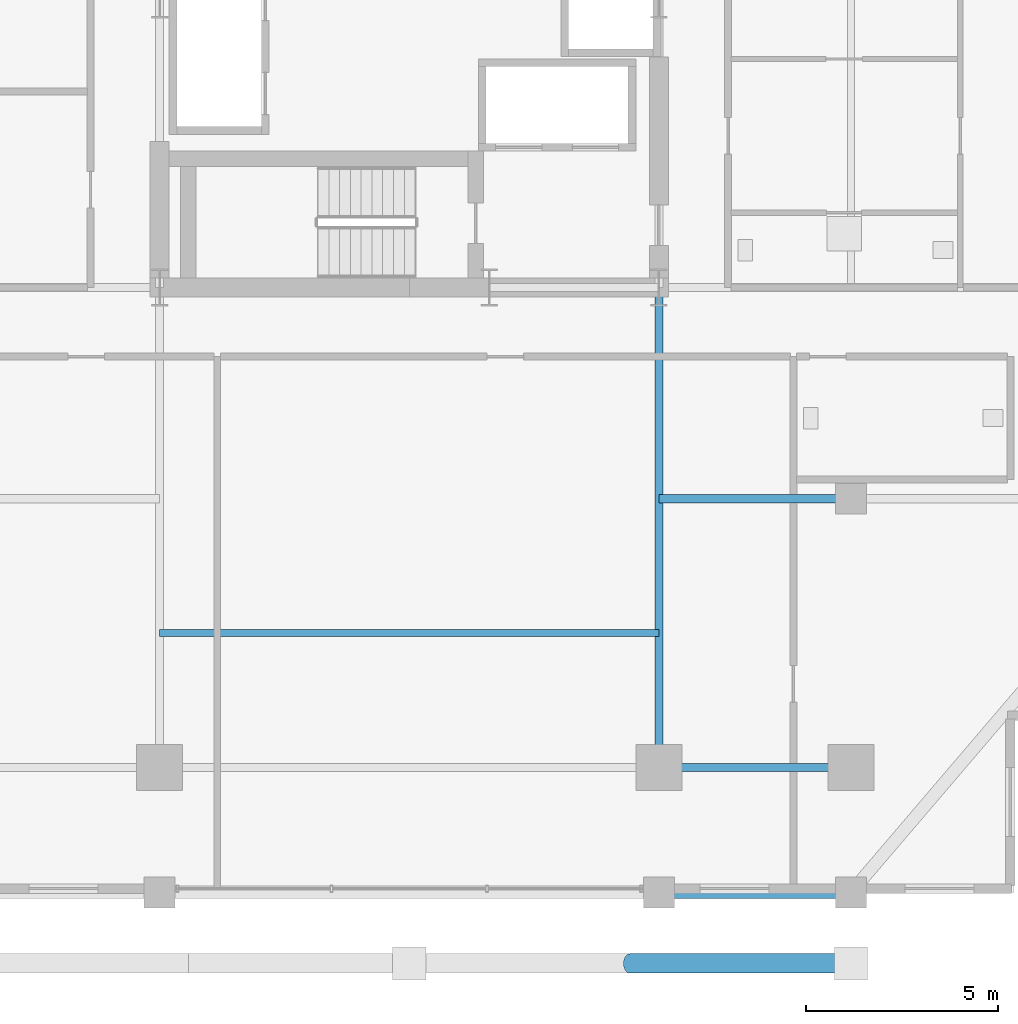
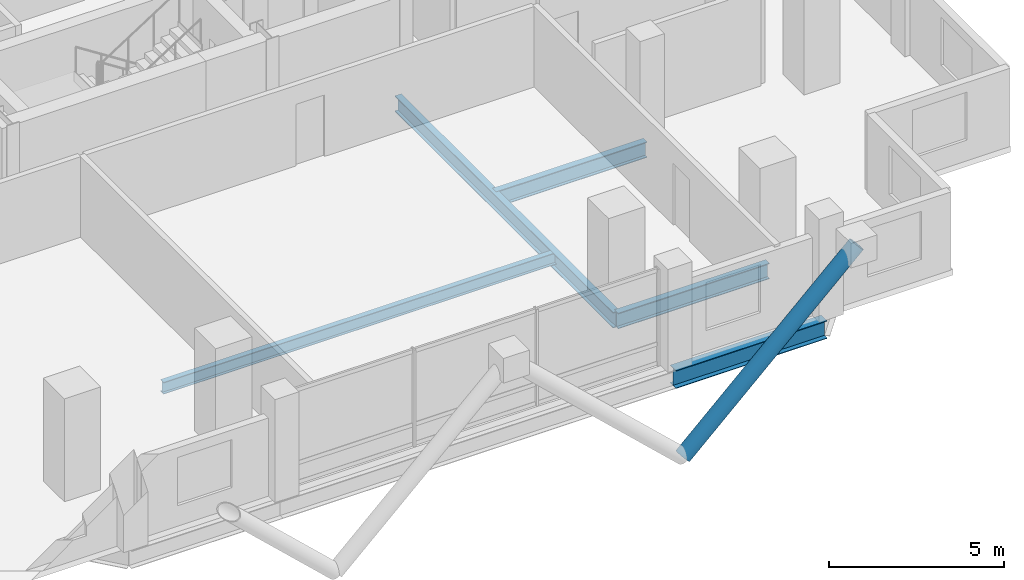
# One storey, part 3 of 22: 5 beams, 1 member.
"""IFC4 building model written with IfcOpenShell, lengths in metres."""

from ifc_helpers import new_model, si_unit, direction, frame, origin, origin_2d, place, context, subcontext, project, spatial, hollow_circle, i_section, extrude, material, material_profile, profile_set, type_object, element, save


model = new_model("IFC4")

# Units and contexts
model_context = context("Model", 3, precision=1e-05, world=origin(), true_north=direction((0.0, 1.0)))
body_context = subcontext(model_context, "Body", "Model", "MODEL_VIEW")
ifc_project = project(units=[si_unit("LENGTHUNIT", "METRE"), si_unit("AREAUNIT", "SQUARE_METRE"), si_unit("VOLUMEUNIT", "CUBIC_METRE"), si_unit("PLANEANGLEUNIT", "RADIAN"), si_unit("MASSUNIT", "GRAM", prefix="KILO")], contexts=[model_context])

# Site, building, storey
site_placement = place(None, origin())
site = spatial("IfcSite", under=ifc_project, at=site_placement, CompositionType="ELEMENT")
building_placement = place(site_placement, origin())
building = spatial("IfcBuilding", under=site, at=building_placement, Name="Barlavira Tower and Art Museum", CompositionType="ELEMENT")
storey_placement = place(building_placement, frame((0.0, 0.0, 106.199951171875)))
storey = spatial("IfcBuildingStorey", under=building, at=storey_placement, Name="L26", CompositionType="ELEMENT", Elevation=106.199951171875)

# Member
ifc_material = material(Name="Steel S355", Category="steel")
ifc_material_profile_1 = material_profile(ifc_material, hollow_circle(Radius=0.25390625, WallThickness=0.022216796875, at=origin_2d()), Name="CHS 508.0x22.2")
ifc_profile_set_1 = profile_set([ifc_material_profile_1], Name="Steel S355")
member_type = type_object("IfcMemberType", Name="Pale-Metal Exoskeleton Diagrid Tube CHS 508x22 Steel S355", PredefinedType="BRACE", material=ifc_profile_set_1)
member_placement = place(storey_placement, frame((5.75, -25.10009765625, -1.919921875), z_axis=(0.728950095515, 0.0, 0.684566839869), x_axis=(0.0, 1.0, 0.0)))
element("IfcMember", 1, at=member_placement, inside=storey, type_object=member_type, Name="L26 Exoskeleton Diagrid Tube S", PredefinedType="BRACE", context=body_context, shape_type="SweptSolid", body=[
    extrude(hollow_circle(Radius=0.25390625, WallThickness=0.022216796875, at=origin_2d()), origin(), (0.0, 0.0, 1.0), 7.887939453125),
])

# Beams
ifc_material_profile_2 = material_profile(ifc_material, i_section(OverallWidth=0.327880859375, OverallDepth=0.62890625, WebThickness=0.013916015625, FlangeThickness=0.021484375, at=origin_2d()), Name="W610x174.0")
ifc_profile_set_2 = profile_set([ifc_material_profile_2], Name="Steel S355")
beam_type_1 = type_object("IfcBeamType", Name="Perimeter Spandrel Edge Beam W610x174 Steel S355", PredefinedType="SPANDREL", material=ifc_profile_set_2)
beam_1_placement = place(storey_placement, frame((6.5, -23.25, -0.534423828125), z_axis=(1.0, 0.0, 0.0), x_axis=(0.0, 1.0, 0.0)))
element("IfcBeam", 2, at=beam_1_placement, inside=storey, type_object=beam_type_1, Name="L26 Spandrel 3", PredefinedType="SPANDREL", context=body_context, shape_type="SweptSolid", body=[
    extrude(i_section(OverallWidth=0.327880859375, OverallDepth=0.62890625, WebThickness=0.013916015625, FlangeThickness=0.021484375, at=origin_2d()), origin(), (0.0, 0.0, 1.0), 5.0),
])
ifc_material_profile_3 = material_profile(ifc_material, i_section(OverallWidth=0.214111328125, OverallDepth=0.549072265625, WebThickness=0.0146484375, FlangeThickness=0.023681640625, at=origin_2d()), Name="W530x138.0")
ifc_profile_set_3 = profile_set([ifc_material_profile_3], Name="Steel S355")
beam_type_2 = type_object("IfcBeamType", Name="Zone 1 Primary Floor Girder W530x138 Steel S355", PredefinedType="BEAM", material=ifc_profile_set_3)
beam_2_placement = place(storey_placement, frame((6.5, -20.0, -0.494384765625), z_axis=(1.0, 0.0, 0.0), x_axis=(0.0, 1.0, 0.0)))
element("IfcBeam", 3, at=beam_2_placement, inside=storey, type_object=beam_type_2, Name="L26 Girder M-S3", PredefinedType="BEAM", context=body_context, shape_type="SweptSolid", body=[
    extrude(i_section(OverallWidth=0.214111328125, OverallDepth=0.549072265625, WebThickness=0.0146484375, FlangeThickness=0.023681640625, at=origin_2d()), origin(), (0.0, 0.0, 1.0), 5.0),
])
beam_3_placement = place(storey_placement, frame((6.5, -20.0, -0.494384765625), z_axis=(0.0, 1.0, 0.0), x_axis=(-1.0, 0.0, 0.0)))
element("IfcBeam", 4, at=beam_3_placement, inside=storey, type_object=beam_type_2, Name="L26 Girder R-S2", PredefinedType="BEAM", context=body_context, shape_type="SweptSolid", body=[
    extrude(i_section(OverallWidth=0.214111328125, OverallDepth=0.549072265625, WebThickness=0.0146484375, FlangeThickness=0.023681640625, at=origin_2d()), origin(), (0.0, 0.0, 1.0), 12.5),
])
beam_4_placement = place(storey_placement, frame((6.5, -13.0, -0.494384765625), z_axis=(1.0, 0.0, 0.0), x_axis=(0.0, 1.0, 0.0)))
element("IfcBeam", 5, at=beam_4_placement, inside=storey, type_object=beam_type_2, Name="L26 Girder I-S3", PredefinedType="BEAM", context=body_context, shape_type="SweptSolid", body=[
    extrude(i_section(OverallWidth=0.214111328125, OverallDepth=0.549072265625, WebThickness=0.0146484375, FlangeThickness=0.023681640625, at=origin_2d()), origin(), (0.0, 0.0, 1.0), 5.0),
])
ifc_material_profile_4 = material_profile(ifc_material, i_section(OverallWidth=0.179931640625, OverallDepth=0.4130859375, WebThickness=0.009765625, FlangeThickness=0.01611328125, at=origin_2d()), Name="W410x75.0")
ifc_profile_set_4 = profile_set([ifc_material_profile_4], Name="Steel S355")
beam_type_3 = type_object("IfcBeamType", Name="Zone 2 Composite Floor Joist W410x75 Steel S355", PredefinedType="JOIST", material=ifc_profile_set_4)
beam_5_placement = place(storey_placement, frame((-6.5, -16.5, -0.426513671875), z_axis=(1.0, 0.0, 0.0), x_axis=(0.0, 1.0, 0.0)))
element("IfcBeam", 6, at=beam_5_placement, inside=storey, type_object=beam_type_3, Name="L26 Joist C1", PredefinedType="JOIST", context=body_context, shape_type="SweptSolid", body=[
    extrude(i_section(OverallWidth=0.179931640625, OverallDepth=0.4130859375, WebThickness=0.009765625, FlangeThickness=0.01611328125, at=origin_2d()), origin(), (0.0, 0.0, 1.0), 13.0),
])

save(model, "model.ifc")
